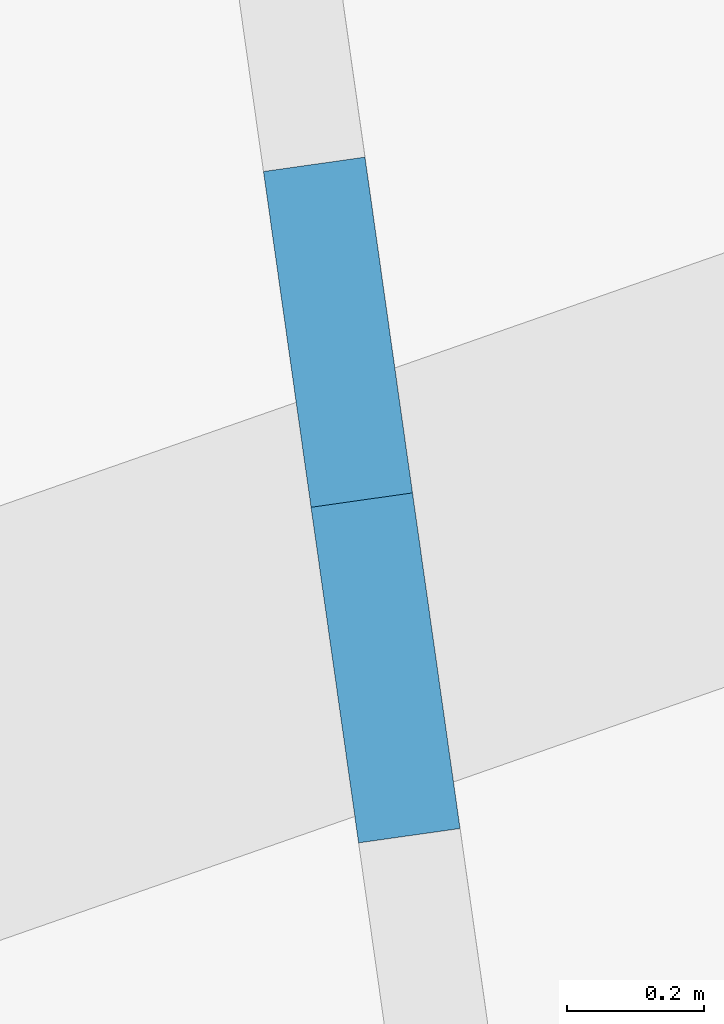
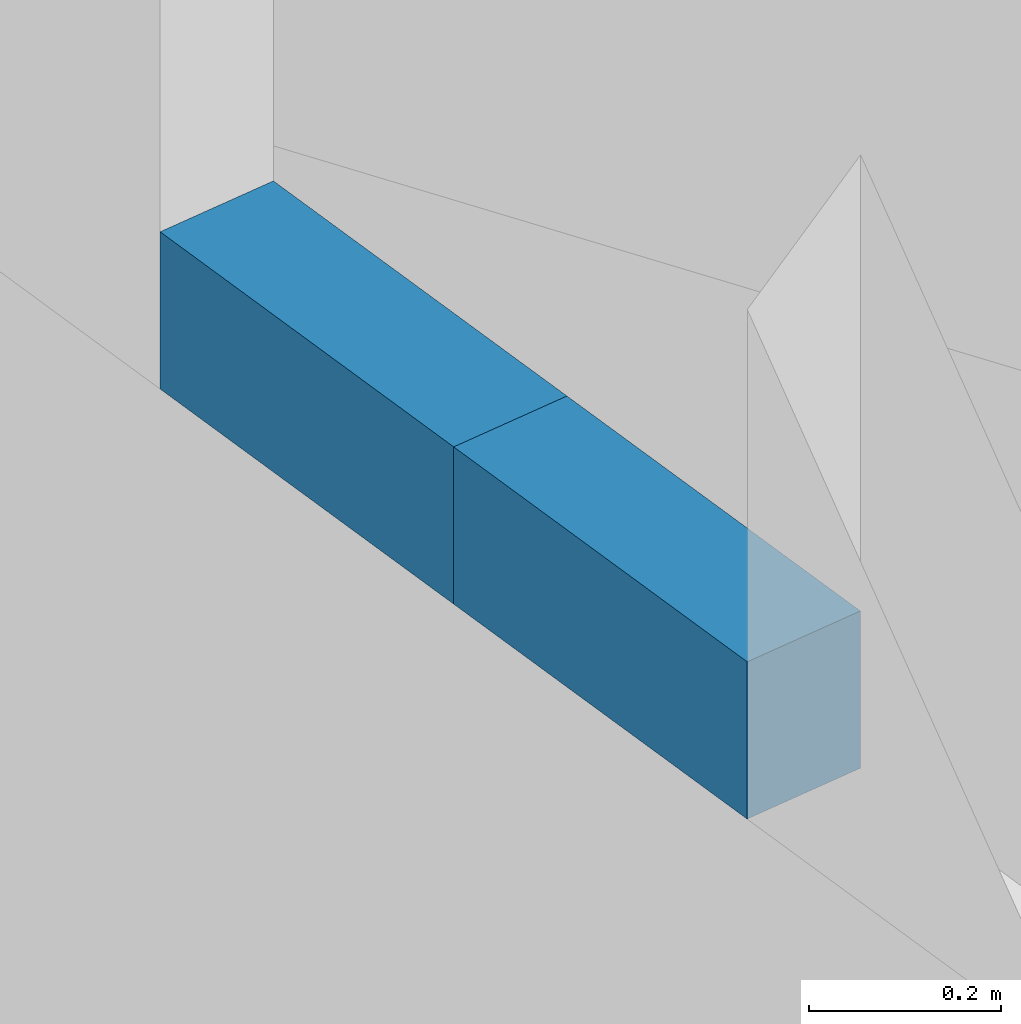
# One storey, part 179 of 249: 2 walls.
"""IFC4 building model written with IfcOpenShell, lengths in metres."""

from ifc_helpers import new_model, si_unit, direction, frame, frame_2d, origin, place, context, subcontext, project, spatial, rectangle, extrude, material, layer, layer_set, type_object, element, save


model = new_model("IFC4")

# Units and contexts
model_context = context("Model", 3, precision=1e-05, world=origin(), true_north=direction((0.0, 1.0)))
body_context = subcontext(model_context, "Body", "Model", "MODEL_VIEW")
ifc_project = project(units=[si_unit("LENGTHUNIT", "METRE"), si_unit("AREAUNIT", "SQUARE_METRE"), si_unit("VOLUMEUNIT", "CUBIC_METRE"), si_unit("PLANEANGLEUNIT", "RADIAN"), si_unit("MASSUNIT", "GRAM", prefix="KILO")], contexts=[model_context])

# Site, building, storey
site_placement = place(None, origin())
site = spatial("IfcSite", under=ifc_project, at=site_placement, CompositionType="ELEMENT")
building_placement = place(site_placement, origin())
building = spatial("IfcBuilding", under=site, at=building_placement, Name="Meseta Stadium", CompositionType="ELEMENT")
storey_placement = place(building_placement, frame((0.0, 0.0, 12.0)))
storey = spatial("IfcBuildingStorey", under=building, at=storey_placement, Name="L02", CompositionType="ELEMENT", Elevation=12.0)

# Walls
ifc_material = material(Name="Masonry blockwork", Category="masonry")
ifc_layer = layer(ifc_material, 0.14990234375)
ifc_layer_set = layer_set([ifc_layer], Name="Partition 150")
wall_type = type_object("IfcWallType", Name="Partition 150", PredefinedType="PARTITIONING", material=ifc_layer_set)
wall_1_placement = place(storey_placement, frame((57.24462890625, -88.410888671875, 4.550048828125), z_axis=(0.0, 0.0, 1.0), x_axis=(-0.140318414971, 0.990106429845, 0.0)))
element("IfcWall", 1, at=wall_1_placement, inside=storey, type_object=wall_type, Name="Stair vestibule wall L02 core 26", PredefinedType="PARTITIONING", context=body_context, shape_type="SweptSolid", body=[
    extrude(rectangle(XDim=0.495849609375, YDim=0.14990234375, at=frame_2d((0.248046875, 0.0))), origin(), (0.0, 0.0, 1.0), 0.199951171875),
])
wall_2_placement = place(storey_placement, frame((57.175048828125, -87.919921875, 4.550048828125), z_axis=(0.0, 0.0, 1.0), x_axis=(-0.140181743649, 0.990125789356, 0.0)))
element("IfcWall", 2, at=wall_2_placement, inside=storey, type_object=wall_type, Name="Stair vestibule wall L02 core 26", PredefinedType="PARTITIONING", context=body_context, shape_type="SweptSolid", body=[
    extrude(rectangle(XDim=0.496337890625, YDim=0.14990234375, at=frame_2d((0.248046875, 0.0))), origin(), (0.0, 0.0, 1.0), 0.199951171875),
])

save(model, "model.ifc")
